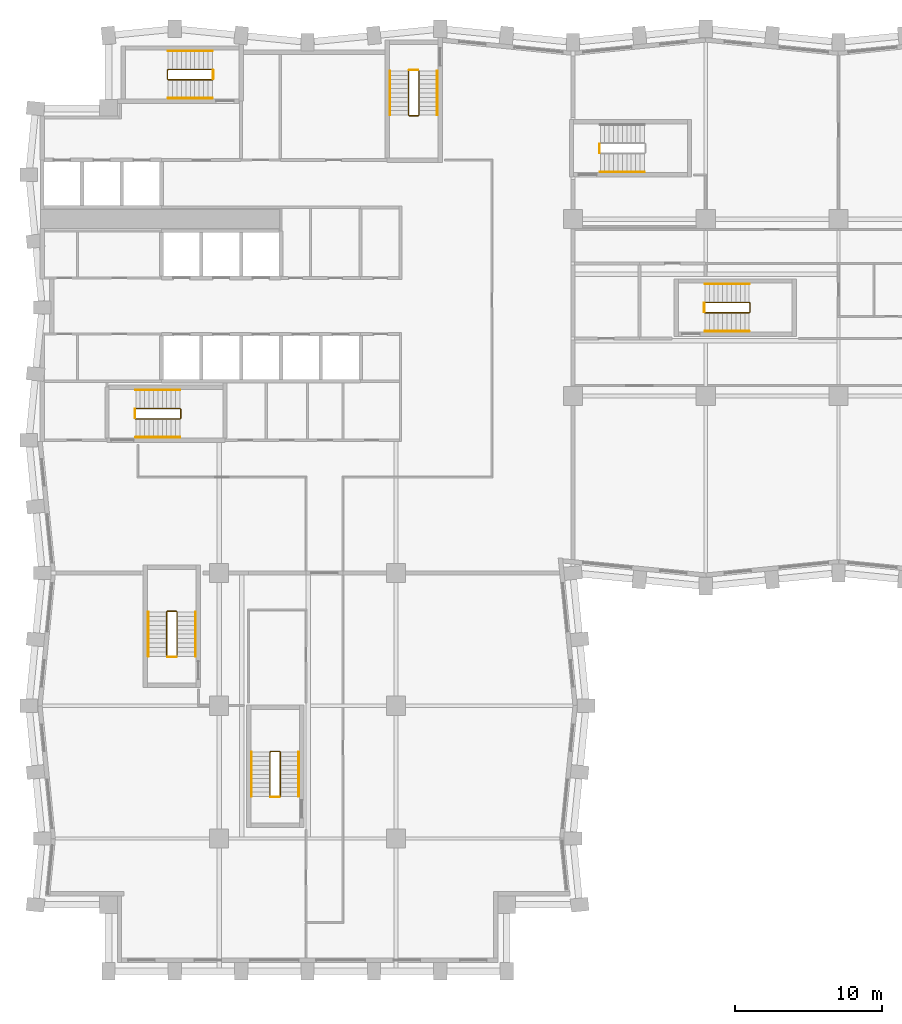
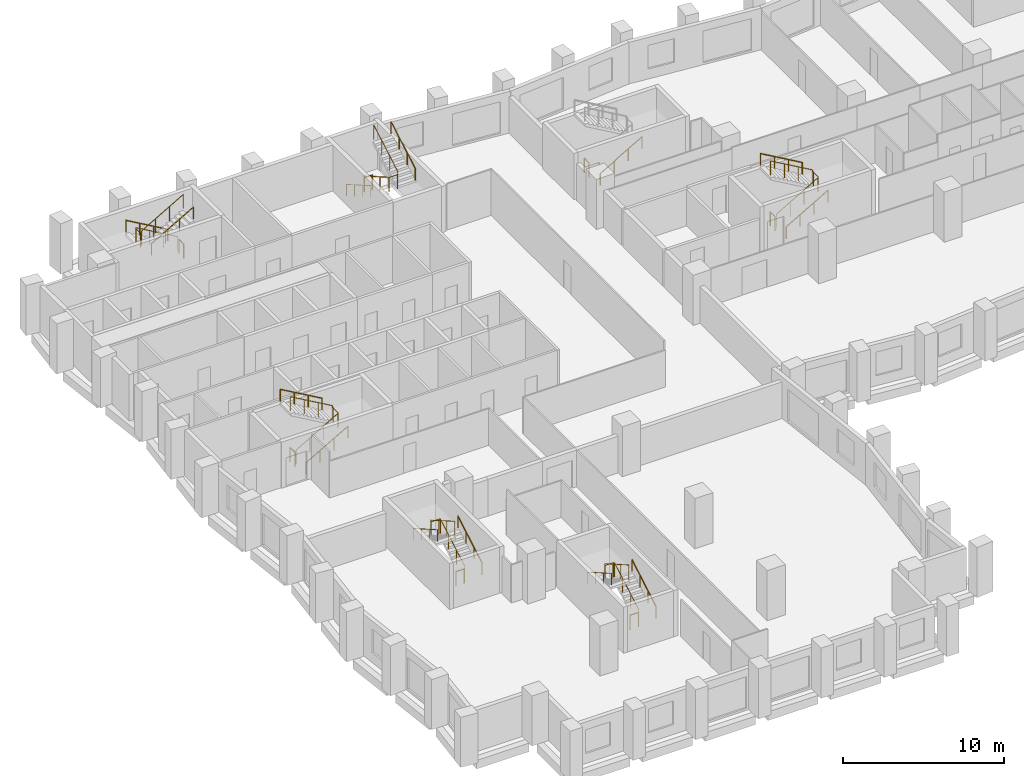
# One storey, part 10 of 11: 26 railings.
"""IFC4 building model written with IfcOpenShell, lengths in metres."""

from ifc_helpers import new_model, si_unit, direction, frame, origin, origin_2d, place, context, subcontext, project, spatial, circle, extrude, material, type_object, element, save


model = new_model("IFC4")

# Units and contexts
model_context = context("Model", 3, precision=1e-05, world=origin(), true_north=direction((0.0, 1.0)))
body_context = subcontext(model_context, "Body", "Model", "MODEL_VIEW")
ifc_project = project(units=[si_unit("LENGTHUNIT", "METRE"), si_unit("AREAUNIT", "SQUARE_METRE"), si_unit("VOLUMEUNIT", "CUBIC_METRE"), si_unit("PLANEANGLEUNIT", "RADIAN"), si_unit("MASSUNIT", "GRAM", prefix="KILO")], contexts=[model_context])

# Site, building, storey
site_placement = place(None, origin())
site = spatial("IfcSite", under=ifc_project, at=site_placement, CompositionType="ELEMENT")
building_placement = place(site_placement, origin())
building = spatial("IfcBuilding", under=site, at=building_placement, Name="Brondeck Convention Tower", CompositionType="ELEMENT")
storey_placement = place(building_placement, frame((0.0, 0.0, 115.10009765625)))
storey = spatial("IfcBuildingStorey", under=building, at=storey_placement, Name="L27", CompositionType="ELEMENT", Elevation=115.10009765625)

# Railings
ifc_material = material(Name="Steel S355", Category="steel")
railing_type_1 = type_object("IfcRailingType", Name="Stair guard 1100", PredefinedType="GUARDRAIL", material=ifc_material)
railing_1_placement = place(storey_placement, frame((6.35009765625, 37.449951171875, 0.172607421875)))
element("IfcRailing", 1, at=railing_1_placement, inside=storey, type_object=railing_type_1, Name="L27 ST-1 stair guard 1", PredefinedType="GUARDRAIL", context=body_context, shape_type="SweptSolid", body=[
    extrude(circle(Radius=0.02392578125, at=origin_2d()), frame((0.0, 0.0, 1.076171875), z_axis=(0.866619684472, 0.0, 0.498969260062), x_axis=(0.0, 1.0, 0.0)), (0.0, 0.0, 1.0), 3.461669921875),
    extrude(circle(Radius=0.02392578125, at=origin_2d()), frame((3.0, 0.0, 2.80322265625), z_axis=(0.705375805398, 0.708833529934, 0.0), x_axis=(-0.708833529934, 0.705375805398, 0.0)), (0.0, 0.0, 1.0), 0.070556640625),
    extrude(circle(Radius=0.02392578125, at=origin_2d()), frame((3.0498046875, 0.050048828125, 2.80322265625), z_axis=(0.0, 1.0, 0.0), x_axis=(-1.0, 0.0, 0.0)), (0.0, 0.0, 1.0), 0.60009765625),
    extrude(circle(Radius=0.02392578125, at=origin_2d()), frame((3.0498046875, 0.650146484375, 2.80322265625), z_axis=(-0.26715648603, 0.26715648603, 0.925880566782), x_axis=(-0.707106781187, -0.707106781187, 0.0)), (0.0, 0.0, 1.0), 0.1865234375),
    extrude(circle(Radius=0.02392578125, at=origin_2d()), frame((3.0, 0.699951171875, 2.97607421875), z_axis=(-0.866619684472, 0.0, 0.498969260062), x_axis=(0.0, -1.0, 0.0)), (0.0, 0.0, 1.0), 3.461669921875),
    extrude(circle(Radius=0.02099609375, at=origin_2d()), origin(), (0.0, 0.0, 1.0), 1.052001953125),
    extrude(circle(Radius=0.02099609375, at=origin_2d()), frame((1.0, 0.0, 0.57568359375)), (0.0, 0.0, 1.0), 1.052001953125),
    extrude(circle(Radius=0.02099609375, at=origin_2d()), frame((2.0, 0.0, 1.151611328125)), (0.0, 0.0, 1.0), 1.052001953125),
    extrude(circle(Radius=0.02099609375, at=origin_2d()), frame((3.0, 0.0, 1.727294921875)), (0.0, 0.0, 1.0), 1.052001953125),
    extrude(circle(Radius=0.02099609375, at=origin_2d()), frame((3.0498046875, 0.050048828125, 1.727294921875)), (0.0, 0.0, 1.0), 1.052001953125),
    extrude(circle(Radius=0.02099609375, at=origin_2d()), frame((3.0498046875, 0.650146484375, 1.727294921875)), (0.0, 0.0, 1.0), 1.052001953125),
    extrude(circle(Radius=0.02099609375, at=origin_2d()), frame((3.0, 0.699951171875, 1.89990234375)), (0.0, 0.0, 1.0), 1.052001953125),
    extrude(circle(Radius=0.02099609375, at=origin_2d()), frame((2.0, 0.699951171875, 2.4755859375)), (0.0, 0.0, 1.0), 1.052001953125),
    extrude(circle(Radius=0.02099609375, at=origin_2d()), frame((1.0, 0.699951171875, 3.051513671875)), (0.0, 0.0, 1.0), 1.052001953125),
    extrude(circle(Radius=0.02099609375, at=origin_2d()), frame((0.0, 0.699951171875, 3.627197265625)), (0.0, 0.0, 1.0), 1.052001953125),
])
railing_2_placement = place(storey_placement, frame((6.300048828125, 37.5, 0.0)))
element("IfcRailing", 2, at=railing_2_placement, inside=storey, type_object=railing_type_1, Name="L27 ST-1 stair guard 2", PredefinedType="GUARDRAIL", context=body_context, shape_type="SweptSolid", body=[
    extrude(circle(Radius=0.02392578125, at=origin_2d()), frame((0.0, 0.0, 1.076171875), z_axis=(0.0, 1.0, 0.0), x_axis=(-1.0, 0.0, 0.0)), (0.0, 0.0, 1.0), 0.60009765625),
    extrude(circle(Radius=0.02099609375, at=origin_2d()), origin(), (0.0, 0.0, 1.0), 1.052001953125),
    extrude(circle(Radius=0.02099609375, at=origin_2d()), frame((0.0, 0.60009765625, 0.0)), (0.0, 0.0, 1.0), 1.052001953125),
])
railing_3_placement = place(storey_placement, frame((24.85009765625, 61.050048828125, 0.172607421875)))
element("IfcRailing", 3, at=railing_3_placement, inside=storey, type_object=railing_type_1, Name="L27 ST-2 stair guard 1", PredefinedType="GUARDRAIL", context=body_context, shape_type="SweptSolid", body=[
    extrude(circle(Radius=0.02392578125, at=origin_2d()), frame((0.0, 0.0, 1.076171875), z_axis=(0.0, -0.866619684472, 0.498969260062), x_axis=(1.0, 0.0, 0.0)), (0.0, 0.0, 1.0), 3.461669921875),
    extrude(circle(Radius=0.02392578125, at=origin_2d()), frame((0.0, -3.0, 2.80322265625), z_axis=(0.705375805398, -0.708833529934, 0.0), x_axis=(0.708833529934, 0.705375805398, 0.0)), (0.0, 0.0, 1.0), 0.070556640625),
    extrude(circle(Radius=0.02392578125, at=origin_2d()), frame((0.0498046875, -3.050048828125, 2.80322265625), z_axis=(1.0, 0.0, 0.0), x_axis=(0.0, 1.0, 0.0)), (0.0, 0.0, 1.0), 0.60009765625),
    extrude(circle(Radius=0.02392578125, at=origin_2d()), frame((0.64990234375, -3.050048828125, 2.80322265625), z_axis=(0.268277960024, 0.268277960024, 0.925231793839), x_axis=(-0.707106781187, 0.707106781187, 0.0)), (0.0, 0.0, 1.0), 0.1865234375),
    extrude(circle(Radius=0.02392578125, at=origin_2d()), frame((0.699951171875, -3.0, 2.97607421875), z_axis=(0.0, 0.866619684472, 0.498969260062), x_axis=(-1.0, 0.0, 0.0)), (0.0, 0.0, 1.0), 3.461669921875),
    extrude(circle(Radius=0.02099609375, at=origin_2d()), origin(), (0.0, 0.0, 1.0), 1.052001953125),
    extrude(circle(Radius=0.02099609375, at=origin_2d()), frame((0.0, -1.0, 0.57568359375)), (0.0, 0.0, 1.0), 1.052001953125),
    extrude(circle(Radius=0.02099609375, at=origin_2d()), frame((0.0, -2.0, 1.151611328125)), (0.0, 0.0, 1.0), 1.052001953125),
    extrude(circle(Radius=0.02099609375, at=origin_2d()), frame((0.0, -3.0, 1.727294921875)), (0.0, 0.0, 1.0), 1.052001953125),
    extrude(circle(Radius=0.02099609375, at=origin_2d()), frame((0.0498046875, -3.050048828125, 1.727294921875)), (0.0, 0.0, 1.0), 1.052001953125),
    extrude(circle(Radius=0.02099609375, at=origin_2d()), frame((0.64990234375, -3.050048828125, 1.727294921875)), (0.0, 0.0, 1.0), 1.052001953125),
    extrude(circle(Radius=0.02099609375, at=origin_2d()), frame((0.699951171875, -3.0, 1.89990234375)), (0.0, 0.0, 1.0), 1.052001953125),
    extrude(circle(Radius=0.02099609375, at=origin_2d()), frame((0.699951171875, -2.0, 2.4755859375)), (0.0, 0.0, 1.0), 1.052001953125),
    extrude(circle(Radius=0.02099609375, at=origin_2d()), frame((0.699951171875, -1.0, 3.051513671875)), (0.0, 0.0, 1.0), 1.052001953125),
    extrude(circle(Radius=0.02099609375, at=origin_2d()), frame((0.699951171875, 0.0, 3.627197265625)), (0.0, 0.0, 1.0), 1.052001953125),
])
railing_4_placement = place(storey_placement, frame((24.89990234375, 61.10009765625, 0.0)))
element("IfcRailing", 4, at=railing_4_placement, inside=storey, type_object=railing_type_1, Name="L27 ST-2 stair guard 2", PredefinedType="GUARDRAIL", context=body_context, shape_type="SweptSolid", body=[
    extrude(circle(Radius=0.02392578125, at=origin_2d()), frame((0.0, 0.0, 1.076171875), z_axis=(1.0, 0.0, 0.0), x_axis=(0.0, 1.0, 0.0)), (0.0, 0.0, 1.0), 0.60009765625),
    extrude(circle(Radius=0.02099609375, at=origin_2d()), origin(), (0.0, 0.0, 1.0), 1.052001953125),
    extrude(circle(Radius=0.02099609375, at=origin_2d()), frame((0.60009765625, 0.0, 0.0)), (0.0, 0.0, 1.0), 1.052001953125),
])
railing_5_placement = place(storey_placement, frame((11.550048828125, 61.14990234375, 0.172607421875)))
element("IfcRailing", 5, at=railing_5_placement, inside=storey, type_object=railing_type_1, Name="L27 ST-3 stair guard 1", PredefinedType="GUARDRAIL", context=body_context, shape_type="SweptSolid", body=[
    extrude(circle(Radius=0.02392578125, at=origin_2d()), frame((0.0, 0.0, 1.076171875), z_axis=(-0.866619684472, 0.0, 0.498969260062), x_axis=(0.0, -1.0, 0.0)), (0.0, 0.0, 1.0), 3.461669921875),
    extrude(circle(Radius=0.02392578125, at=origin_2d()), frame((-3.0, 0.0, 2.80322265625), z_axis=(-0.708833529934, -0.705375805398, 0.0), x_axis=(0.705375805398, -0.708833529934, 0.0)), (0.0, 0.0, 1.0), 0.070556640625),
    extrude(circle(Radius=0.02392578125, at=origin_2d()), frame((-3.050048828125, -0.0498046875, 2.80322265625), z_axis=(0.0, -1.0, 0.0), x_axis=(1.0, 0.0, 0.0)), (0.0, 0.0, 1.0), 0.60009765625),
    extrude(circle(Radius=0.02392578125, at=origin_2d()), frame((-3.050048828125, -0.64990234375, 2.80322265625), z_axis=(0.268277960024, -0.268277960024, 0.925231793839), x_axis=(0.707106781187, 0.707106781187, 0.0)), (0.0, 0.0, 1.0), 0.1865234375),
    extrude(circle(Radius=0.02392578125, at=origin_2d()), frame((-3.0, -0.699951171875, 2.97607421875), z_axis=(0.866619684472, 0.0, 0.498969260062), x_axis=(0.0, 1.0, 0.0)), (0.0, 0.0, 1.0), 3.461669921875),
    extrude(circle(Radius=0.02099609375, at=origin_2d()), origin(), (0.0, 0.0, 1.0), 1.052001953125),
    extrude(circle(Radius=0.02099609375, at=origin_2d()), frame((-1.0, 0.0, 0.57568359375)), (0.0, 0.0, 1.0), 1.052001953125),
    extrude(circle(Radius=0.02099609375, at=origin_2d()), frame((-2.0, 0.0, 1.151611328125)), (0.0, 0.0, 1.0), 1.052001953125),
    extrude(circle(Radius=0.02099609375, at=origin_2d()), frame((-3.0, 0.0, 1.727294921875)), (0.0, 0.0, 1.0), 1.052001953125),
    extrude(circle(Radius=0.02099609375, at=origin_2d()), frame((-3.050048828125, -0.0498046875, 1.727294921875)), (0.0, 0.0, 1.0), 1.052001953125),
    extrude(circle(Radius=0.02099609375, at=origin_2d()), frame((-3.050048828125, -0.64990234375, 1.727294921875)), (0.0, 0.0, 1.0), 1.052001953125),
    extrude(circle(Radius=0.02099609375, at=origin_2d()), frame((-3.0, -0.699951171875, 1.89990234375)), (0.0, 0.0, 1.0), 1.052001953125),
    extrude(circle(Radius=0.02099609375, at=origin_2d()), frame((-2.0, -0.699951171875, 2.4755859375)), (0.0, 0.0, 1.0), 1.052001953125),
    extrude(circle(Radius=0.02099609375, at=origin_2d()), frame((-1.0, -0.699951171875, 3.051513671875)), (0.0, 0.0, 1.0), 1.052001953125),
    extrude(circle(Radius=0.02099609375, at=origin_2d()), frame((0.0, -0.699951171875, 3.627197265625)), (0.0, 0.0, 1.0), 1.052001953125),
])
railing_6_placement = place(storey_placement, frame((11.60009765625, 61.10009765625, 0.0)))
element("IfcRailing", 6, at=railing_6_placement, inside=storey, type_object=railing_type_1, Name="L27 ST-3 stair guard 2", PredefinedType="GUARDRAIL", context=body_context, shape_type="SweptSolid", body=[
    extrude(circle(Radius=0.02392578125, at=origin_2d()), frame((0.0, 0.0, 1.076171875), z_axis=(0.0, -1.0, 0.0), x_axis=(1.0, 0.0, 0.0)), (0.0, 0.0, 1.0), 0.60009765625),
    extrude(circle(Radius=0.02099609375, at=origin_2d()), origin(), (0.0, 0.0, 1.0), 1.052001953125),
    extrude(circle(Radius=0.02099609375, at=origin_2d()), frame((0.0, -0.60009765625, 0.0)), (0.0, 0.0, 1.0), 1.052001953125),
])
railing_7_placement = place(storey_placement, frame((37.800048828125, 55.5, 0.0)))
element("IfcRailing", 7, at=railing_7_placement, inside=storey, type_object=railing_type_1, Name="L27 ST-AE stair guard 2", PredefinedType="GUARDRAIL", context=body_context, shape_type="SweptSolid", body=[
    extrude(circle(Radius=0.02392578125, at=origin_2d()), frame((0.0, 0.0, 1.076171875), z_axis=(0.0, 1.0, 0.0), x_axis=(-1.0, 0.0, 0.0)), (0.0, 0.0, 1.0), 0.60009765625),
    extrude(circle(Radius=0.02099609375, at=origin_2d()), origin(), (0.0, 0.0, 1.0), 1.052001953125),
    extrude(circle(Radius=0.02099609375, at=origin_2d()), frame((0.0, 0.60009765625, 0.0)), (0.0, 0.0, 1.0), 1.052001953125),
])
railing_8_placement = place(storey_placement, frame((9.14990234375, 21.35009765625, 0.172607421875)))
element("IfcRailing", 8, at=railing_8_placement, inside=storey, type_object=railing_type_1, Name="L27 ST-BE stair guard 1", PredefinedType="GUARDRAIL", context=body_context, shape_type="SweptSolid", body=[
    extrude(circle(Radius=0.02392578125, at=origin_2d()), frame((0.0, 0.0, 1.076171875), z_axis=(0.0, 0.866619684472, 0.498969260062), x_axis=(-1.0, 0.0, 0.0)), (0.0, 0.0, 1.0), 3.461669921875),
    extrude(circle(Radius=0.02392578125, at=origin_2d()), frame((0.0, 3.0, 2.80322265625), z_axis=(-0.707106781187, 0.707106781187, 0.0), x_axis=(-0.707106781187, -0.707106781187, 0.0)), (0.0, 0.0, 1.0), 0.0703125),
    extrude(circle(Radius=0.02392578125, at=origin_2d()), frame((-0.0498046875, 3.0498046875, 2.80322265625), z_axis=(-1.0, 0.0, 0.0), x_axis=(0.0, -1.0, 0.0)), (0.0, 0.0, 1.0), 0.60009765625),
    extrude(circle(Radius=0.02392578125, at=origin_2d()), frame((-0.64990234375, 3.0498046875, 2.80322265625), z_axis=(-0.268371968888, -0.267062837333, 0.925556009775), x_axis=(0.705375805398, -0.708833529934, 0.0)), (0.0, 0.0, 1.0), 0.1865234375),
    extrude(circle(Radius=0.02392578125, at=origin_2d()), frame((-0.699951171875, 3.0, 2.97607421875), z_axis=(0.0, -0.866619684472, 0.498969260062), x_axis=(1.0, 0.0, 0.0)), (0.0, 0.0, 1.0), 3.461669921875),
    extrude(circle(Radius=0.02099609375, at=origin_2d()), origin(), (0.0, 0.0, 1.0), 1.052001953125),
    extrude(circle(Radius=0.02099609375, at=origin_2d()), frame((0.0, 1.0, 0.57568359375)), (0.0, 0.0, 1.0), 1.052001953125),
    extrude(circle(Radius=0.02099609375, at=origin_2d()), frame((0.0, 2.0, 1.151611328125)), (0.0, 0.0, 1.0), 1.052001953125),
    extrude(circle(Radius=0.02099609375, at=origin_2d()), frame((0.0, 3.0, 1.727294921875)), (0.0, 0.0, 1.0), 1.052001953125),
    extrude(circle(Radius=0.02099609375, at=origin_2d()), frame((-0.0498046875, 3.0498046875, 1.727294921875)), (0.0, 0.0, 1.0), 1.052001953125),
    extrude(circle(Radius=0.02099609375, at=origin_2d()), frame((-0.64990234375, 3.0498046875, 1.727294921875)), (0.0, 0.0, 1.0), 1.052001953125),
    extrude(circle(Radius=0.02099609375, at=origin_2d()), frame((-0.699951171875, 3.0, 1.89990234375)), (0.0, 0.0, 1.0), 1.052001953125),
    extrude(circle(Radius=0.02099609375, at=origin_2d()), frame((-0.699951171875, 2.0, 2.4755859375)), (0.0, 0.0, 1.0), 1.052001953125),
    extrude(circle(Radius=0.02099609375, at=origin_2d()), frame((-0.699951171875, 1.0, 3.051513671875)), (0.0, 0.0, 1.0), 1.052001953125),
    extrude(circle(Radius=0.02099609375, at=origin_2d()), frame((-0.699951171875, 0.0, 3.627197265625)), (0.0, 0.0, 1.0), 1.052001953125),
])
railing_9_placement = place(storey_placement, frame((9.10009765625, 21.300048828125, 0.0)))
element("IfcRailing", 9, at=railing_9_placement, inside=storey, type_object=railing_type_1, Name="L27 ST-BE stair guard 2", PredefinedType="GUARDRAIL", context=body_context, shape_type="SweptSolid", body=[
    extrude(circle(Radius=0.02392578125, at=origin_2d()), frame((0.0, 0.0, 1.076171875), z_axis=(-1.0, 0.0, 0.0), x_axis=(0.0, -1.0, 0.0)), (0.0, 0.0, 1.0), 0.60009765625),
    extrude(circle(Radius=0.02099609375, at=origin_2d()), origin(), (0.0, 0.0, 1.0), 1.052001953125),
    extrude(circle(Radius=0.02099609375, at=origin_2d()), frame((-0.60009765625, 0.0, 0.0)), (0.0, 0.0, 1.0), 1.052001953125),
])
railing_10_placement = place(storey_placement, frame((44.949951171875, 44.64990234375, 0.172607421875)))
element("IfcRailing", 10, at=railing_10_placement, inside=storey, type_object=railing_type_1, Name="L27 ST-AF stair guard 1", PredefinedType="GUARDRAIL", context=body_context, shape_type="SweptSolid", body=[
    extrude(circle(Radius=0.02392578125, at=origin_2d()), frame((0.0, 0.0, 1.076171875), z_axis=(0.866619684472, 0.0, 0.498969260062), x_axis=(0.0, 1.0, 0.0)), (0.0, 0.0, 1.0), 3.461669921875),
    extrude(circle(Radius=0.02392578125, at=origin_2d()), frame((3.0, 0.0, 2.80322265625), z_axis=(0.707106781187, 0.707106781187, 0.0), x_axis=(-0.707106781187, 0.707106781187, 0.0)), (0.0, 0.0, 1.0), 0.07080078125),
    extrude(circle(Radius=0.02392578125, at=origin_2d()), frame((3.050048828125, 0.050048828125, 2.80322265625), z_axis=(0.0, 1.0, 0.0), x_axis=(-1.0, 0.0, 0.0)), (0.0, 0.0, 1.0), 0.60009765625),
    extrude(circle(Radius=0.02392578125, at=origin_2d()), frame((3.050048828125, 0.650146484375, 2.80322265625), z_axis=(-0.268277960024, 0.268277960024, 0.925231793839), x_axis=(-0.707106781187, -0.707106781187, 0.0)), (0.0, 0.0, 1.0), 0.1865234375),
    extrude(circle(Radius=0.02392578125, at=origin_2d()), frame((3.0, 0.7001953125, 2.97607421875), z_axis=(-0.866619684472, 0.0, 0.498969260062), x_axis=(0.0, -1.0, 0.0)), (0.0, 0.0, 1.0), 3.461669921875),
    extrude(circle(Radius=0.02099609375, at=origin_2d()), origin(), (0.0, 0.0, 1.0), 1.052001953125),
    extrude(circle(Radius=0.02099609375, at=origin_2d()), frame((1.0, 0.0, 0.57568359375)), (0.0, 0.0, 1.0), 1.052001953125),
    extrude(circle(Radius=0.02099609375, at=origin_2d()), frame((2.0, 0.0, 1.151611328125)), (0.0, 0.0, 1.0), 1.052001953125),
    extrude(circle(Radius=0.02099609375, at=origin_2d()), frame((3.0, 0.0, 1.727294921875)), (0.0, 0.0, 1.0), 1.052001953125),
    extrude(circle(Radius=0.02099609375, at=origin_2d()), frame((3.050048828125, 0.050048828125, 1.727294921875)), (0.0, 0.0, 1.0), 1.052001953125),
    extrude(circle(Radius=0.02099609375, at=origin_2d()), frame((3.050048828125, 0.650146484375, 1.727294921875)), (0.0, 0.0, 1.0), 1.052001953125),
    extrude(circle(Radius=0.02099609375, at=origin_2d()), frame((3.0, 0.7001953125, 1.89990234375)), (0.0, 0.0, 1.0), 1.052001953125),
    extrude(circle(Radius=0.02099609375, at=origin_2d()), frame((2.0, 0.7001953125, 2.4755859375)), (0.0, 0.0, 1.0), 1.052001953125),
    extrude(circle(Radius=0.02099609375, at=origin_2d()), frame((1.0, 0.7001953125, 3.051513671875)), (0.0, 0.0, 1.0), 1.052001953125),
    extrude(circle(Radius=0.02099609375, at=origin_2d()), frame((0.0, 0.7001953125, 3.627197265625)), (0.0, 0.0, 1.0), 1.052001953125),
])
railing_11_placement = place(storey_placement, frame((44.89990234375, 44.699951171875, 0.0)))
element("IfcRailing", 11, at=railing_11_placement, inside=storey, type_object=railing_type_1, Name="L27 ST-AF stair guard 2", PredefinedType="GUARDRAIL", context=body_context, shape_type="SweptSolid", body=[
    extrude(circle(Radius=0.02392578125, at=origin_2d()), frame((0.0, 0.0, 1.076171875), z_axis=(0.0, 1.0, 0.0), x_axis=(-1.0, 0.0, 0.0)), (0.0, 0.0, 1.0), 0.60009765625),
    extrude(circle(Radius=0.02099609375, at=origin_2d()), origin(), (0.0, 0.0, 1.0), 1.052001953125),
    extrude(circle(Radius=0.02099609375, at=origin_2d()), frame((0.0, 0.60009765625, 0.0)), (0.0, 0.0, 1.0), 1.052001953125),
])
railing_12_placement = place(storey_placement, frame((16.14990234375, 11.85009765625, 0.172607421875)))
element("IfcRailing", 12, at=railing_12_placement, inside=storey, type_object=railing_type_1, Name="L27 ST-BF stair guard 1", PredefinedType="GUARDRAIL", context=body_context, shape_type="SweptSolid", body=[
    extrude(circle(Radius=0.02392578125, at=origin_2d()), frame((0.0, 0.0, 1.076171875), z_axis=(0.0, 0.866619684472, 0.498969260062), x_axis=(-1.0, 0.0, 0.0)), (0.0, 0.0, 1.0), 3.461669921875),
    extrude(circle(Radius=0.02392578125, at=origin_2d()), frame((0.0, 3.0, 2.80322265625), z_axis=(-0.707106781187, 0.707106781187, 0.0), x_axis=(-0.707106781187, -0.707106781187, 0.0)), (0.0, 0.0, 1.0), 0.0703125),
    extrude(circle(Radius=0.02392578125, at=origin_2d()), frame((-0.0498046875, 3.0498046875, 2.80322265625), z_axis=(-1.0, 0.0, 0.0), x_axis=(0.0, -1.0, 0.0)), (0.0, 0.0, 1.0), 0.60009765625),
    extrude(circle(Radius=0.02392578125, at=origin_2d()), frame((-0.64990234375, 3.0498046875, 2.80322265625), z_axis=(-0.268371968888, -0.267062837333, 0.925556009775), x_axis=(0.705375805398, -0.708833529934, 0.0)), (0.0, 0.0, 1.0), 0.1865234375),
    extrude(circle(Radius=0.02392578125, at=origin_2d()), frame((-0.699951171875, 3.0, 2.97607421875), z_axis=(0.0, -0.866619684472, 0.498969260062), x_axis=(1.0, 0.0, 0.0)), (0.0, 0.0, 1.0), 3.461669921875),
    extrude(circle(Radius=0.02099609375, at=origin_2d()), origin(), (0.0, 0.0, 1.0), 1.052001953125),
    extrude(circle(Radius=0.02099609375, at=origin_2d()), frame((0.0, 1.0, 0.57568359375)), (0.0, 0.0, 1.0), 1.052001953125),
    extrude(circle(Radius=0.02099609375, at=origin_2d()), frame((0.0, 2.0, 1.151611328125)), (0.0, 0.0, 1.0), 1.052001953125),
    extrude(circle(Radius=0.02099609375, at=origin_2d()), frame((0.0, 3.0, 1.727294921875)), (0.0, 0.0, 1.0), 1.052001953125),
    extrude(circle(Radius=0.02099609375, at=origin_2d()), frame((-0.0498046875, 3.0498046875, 1.727294921875)), (0.0, 0.0, 1.0), 1.052001953125),
    extrude(circle(Radius=0.02099609375, at=origin_2d()), frame((-0.64990234375, 3.0498046875, 1.727294921875)), (0.0, 0.0, 1.0), 1.052001953125),
    extrude(circle(Radius=0.02099609375, at=origin_2d()), frame((-0.699951171875, 3.0, 1.89990234375)), (0.0, 0.0, 1.0), 1.052001953125),
    extrude(circle(Radius=0.02099609375, at=origin_2d()), frame((-0.699951171875, 2.0, 2.4755859375)), (0.0, 0.0, 1.0), 1.052001953125),
    extrude(circle(Radius=0.02099609375, at=origin_2d()), frame((-0.699951171875, 1.0, 3.051513671875)), (0.0, 0.0, 1.0), 1.052001953125),
    extrude(circle(Radius=0.02099609375, at=origin_2d()), frame((-0.699951171875, 0.0, 3.627197265625)), (0.0, 0.0, 1.0), 1.052001953125),
])
railing_13_placement = place(storey_placement, frame((16.10009765625, 11.800048828125, 0.0)))
element("IfcRailing", 13, at=railing_13_placement, inside=storey, type_object=railing_type_1, Name="L27 ST-BF stair guard 2", PredefinedType="GUARDRAIL", context=body_context, shape_type="SweptSolid", body=[
    extrude(circle(Radius=0.02392578125, at=origin_2d()), frame((0.0, 0.0, 1.076171875), z_axis=(-1.0, 0.0, 0.0), x_axis=(0.0, -1.0, 0.0)), (0.0, 0.0, 1.0), 0.60009765625),
    extrude(circle(Radius=0.02099609375, at=origin_2d()), origin(), (0.0, 0.0, 1.0), 1.052001953125),
    extrude(circle(Radius=0.02099609375, at=origin_2d()), frame((-0.60009765625, 0.0, 0.0)), (0.0, 0.0, 1.0), 1.052001953125),
])
railing_type_2 = type_object("IfcRailingType", Name="Stair handrail", PredefinedType="HANDRAIL", material=ifc_material)
railing_14_placement = place(storey_placement, frame((6.35009765625, 36.199951171875, 0.172607421875)))
element("IfcRailing", 14, at=railing_14_placement, inside=storey, type_object=railing_type_2, Name="L27 ST-1 stair handrail 1", PredefinedType="HANDRAIL", context=body_context, shape_type="SweptSolid", body=[
    extrude(circle(Radius=0.02392578125, at=origin_2d()), frame((0.0, 0.0, 0.8759765625), z_axis=(0.866619684472, 0.0, 0.498969260062), x_axis=(0.0, 1.0, 0.0)), (0.0, 0.0, 1.0), 3.461669921875),
    extrude(circle(Radius=0.02099609375, at=origin_2d()), origin(), (0.0, 0.0, 1.0), 0.851806640625),
    extrude(circle(Radius=0.02099609375, at=origin_2d()), frame((1.0, 0.0, 0.57568359375)), (0.0, 0.0, 1.0), 0.851806640625),
    extrude(circle(Radius=0.02099609375, at=origin_2d()), frame((2.0, 0.0, 1.151611328125)), (0.0, 0.0, 1.0), 0.851806640625),
    extrude(circle(Radius=0.02099609375, at=origin_2d()), frame((3.0, 0.0, 1.727294921875)), (0.0, 0.0, 1.0), 0.851806640625),
])
railing_15_placement = place(storey_placement, frame((9.35009765625, 39.39990234375, 2.072509765625)))
element("IfcRailing", 15, at=railing_15_placement, inside=storey, type_object=railing_type_2, Name="L27 ST-1 stair handrail 2", PredefinedType="HANDRAIL", context=body_context, shape_type="SweptSolid", body=[
    extrude(circle(Radius=0.02392578125, at=origin_2d()), frame((0.0, 0.0, 0.8759765625), z_axis=(-0.866619684472, 0.0, 0.498969260062), x_axis=(0.0, -1.0, 0.0)), (0.0, 0.0, 1.0), 3.461669921875),
    extrude(circle(Radius=0.02099609375, at=origin_2d()), origin(), (0.0, 0.0, 1.0), 0.851806640625),
    extrude(circle(Radius=0.02099609375, at=origin_2d()), frame((-1.0, 0.0, 0.57568359375)), (0.0, 0.0, 1.0), 0.851806640625),
    extrude(circle(Radius=0.02099609375, at=origin_2d()), frame((-2.0, 0.0, 1.151611328125)), (0.0, 0.0, 1.0), 0.851806640625),
    extrude(circle(Radius=0.02099609375, at=origin_2d()), frame((-3.0, 0.0, 1.727294921875)), (0.0, 0.0, 1.0), 0.851806640625),
])
railing_16_placement = place(storey_placement, frame((23.60009765625, 61.050048828125, 0.172607421875)))
element("IfcRailing", 16, at=railing_16_placement, inside=storey, type_object=railing_type_2, Name="L27 ST-2 stair handrail 1", PredefinedType="HANDRAIL", context=body_context, shape_type="SweptSolid", body=[
    extrude(circle(Radius=0.02392578125, at=origin_2d()), frame((0.0, 0.0, 0.8759765625), z_axis=(0.0, -0.866619684472, 0.498969260062), x_axis=(1.0, 0.0, 0.0)), (0.0, 0.0, 1.0), 3.461669921875),
    extrude(circle(Radius=0.02099609375, at=origin_2d()), origin(), (0.0, 0.0, 1.0), 0.851806640625),
    extrude(circle(Radius=0.02099609375, at=origin_2d()), frame((0.0, -1.0, 0.57568359375)), (0.0, 0.0, 1.0), 0.851806640625),
    extrude(circle(Radius=0.02099609375, at=origin_2d()), frame((0.0, -2.0, 1.151611328125)), (0.0, 0.0, 1.0), 0.851806640625),
    extrude(circle(Radius=0.02099609375, at=origin_2d()), frame((0.0, -3.0, 1.727294921875)), (0.0, 0.0, 1.0), 0.851806640625),
])
railing_17_placement = place(storey_placement, frame((26.800048828125, 58.050048828125, 2.072509765625)))
element("IfcRailing", 17, at=railing_17_placement, inside=storey, type_object=railing_type_2, Name="L27 ST-2 stair handrail 2", PredefinedType="HANDRAIL", context=body_context, shape_type="SweptSolid", body=[
    extrude(circle(Radius=0.02392578125, at=origin_2d()), frame((0.0, 0.0, 0.8759765625), z_axis=(0.0, 0.866619684472, 0.498969260062), x_axis=(-1.0, 0.0, 0.0)), (0.0, 0.0, 1.0), 3.461669921875),
    extrude(circle(Radius=0.02099609375, at=origin_2d()), origin(), (0.0, 0.0, 1.0), 0.851806640625),
    extrude(circle(Radius=0.02099609375, at=origin_2d()), frame((0.0, 1.0, 0.57568359375)), (0.0, 0.0, 1.0), 0.851806640625),
    extrude(circle(Radius=0.02099609375, at=origin_2d()), frame((0.0, 2.0, 1.151611328125)), (0.0, 0.0, 1.0), 0.851806640625),
    extrude(circle(Radius=0.02099609375, at=origin_2d()), frame((0.0, 3.0, 1.727294921875)), (0.0, 0.0, 1.0), 0.851806640625),
])
railing_18_placement = place(storey_placement, frame((11.550048828125, 62.39990234375, 0.172607421875)))
element("IfcRailing", 18, at=railing_18_placement, inside=storey, type_object=railing_type_2, Name="L27 ST-3 stair handrail 1", PredefinedType="HANDRAIL", context=body_context, shape_type="SweptSolid", body=[
    extrude(circle(Radius=0.02392578125, at=origin_2d()), frame((0.0, 0.0, 0.8759765625), z_axis=(-0.866619684472, 0.0, 0.498969260062), x_axis=(0.0, -1.0, 0.0)), (0.0, 0.0, 1.0), 3.461669921875),
    extrude(circle(Radius=0.02099609375, at=origin_2d()), origin(), (0.0, 0.0, 1.0), 0.851806640625),
    extrude(circle(Radius=0.02099609375, at=origin_2d()), frame((-1.0, 0.0, 0.57568359375)), (0.0, 0.0, 1.0), 0.851806640625),
    extrude(circle(Radius=0.02099609375, at=origin_2d()), frame((-2.0, 0.0, 1.151611328125)), (0.0, 0.0, 1.0), 0.851806640625),
    extrude(circle(Radius=0.02099609375, at=origin_2d()), frame((-3.0, 0.0, 1.727294921875)), (0.0, 0.0, 1.0), 0.851806640625),
])
for number, where, name in (
    (19, (8.550048828125, 59.199951171875, 2.072509765625), "L27 ST-3 stair handrail 2"),
    (20, (37.85009765625, 54.199951171875, 0.172607421875), "L27 ST-AE stair handrail 1"),
):
    element("IfcRailing", number, at=place(storey_placement, frame(where)), inside=storey, type_object=railing_type_2, Name=name, PredefinedType="HANDRAIL", context=body_context, shape_type="SweptSolid", body=[
        extrude(circle(Radius=0.02392578125, at=origin_2d()), frame((0.0, 0.0, 0.8759765625), z_axis=(0.866619684472, 0.0, 0.498969260062), x_axis=(0.0, 1.0, 0.0)), (0.0, 0.0, 1.0), 3.461669921875),
        extrude(circle(Radius=0.02099609375, at=origin_2d()), origin(), (0.0, 0.0, 1.0), 0.851806640625),
        extrude(circle(Radius=0.02099609375, at=origin_2d()), frame((1.0, 0.0, 0.57568359375)), (0.0, 0.0, 1.0), 0.851806640625),
        extrude(circle(Radius=0.02099609375, at=origin_2d()), frame((2.0, 0.0, 1.151611328125)), (0.0, 0.0, 1.0), 0.851806640625),
        extrude(circle(Radius=0.02099609375, at=origin_2d()), frame((3.0, 0.0, 1.727294921875)), (0.0, 0.0, 1.0), 0.851806640625),
    ])
railing_19_placement = place(storey_placement, frame((10.39990234375, 21.35009765625, 0.172607421875)))
element("IfcRailing", 21, at=railing_19_placement, inside=storey, type_object=railing_type_2, Name="L27 ST-BE stair handrail 1", PredefinedType="HANDRAIL", context=body_context, shape_type="SweptSolid", body=[
    extrude(circle(Radius=0.02392578125, at=origin_2d()), frame((0.0, 0.0, 0.8759765625), z_axis=(0.0, 0.866619684472, 0.498969260062), x_axis=(-1.0, 0.0, 0.0)), (0.0, 0.0, 1.0), 3.461669921875),
    extrude(circle(Radius=0.02099609375, at=origin_2d()), origin(), (0.0, 0.0, 1.0), 0.851806640625),
    extrude(circle(Radius=0.02099609375, at=origin_2d()), frame((0.0, 1.0, 0.57568359375)), (0.0, 0.0, 1.0), 0.851806640625),
    extrude(circle(Radius=0.02099609375, at=origin_2d()), frame((0.0, 2.0, 1.151611328125)), (0.0, 0.0, 1.0), 0.851806640625),
    extrude(circle(Radius=0.02099609375, at=origin_2d()), frame((0.0, 3.0, 1.727294921875)), (0.0, 0.0, 1.0), 0.851806640625),
])
railing_20_placement = place(storey_placement, frame((7.199951171875, 24.35009765625, 2.072509765625)))
element("IfcRailing", 22, at=railing_20_placement, inside=storey, type_object=railing_type_2, Name="L27 ST-BE stair handrail 2", PredefinedType="HANDRAIL", context=body_context, shape_type="SweptSolid", body=[
    extrude(circle(Radius=0.02392578125, at=origin_2d()), frame((0.0, 0.0, 0.8759765625), z_axis=(0.0, -0.866619684472, 0.498969260062), x_axis=(1.0, 0.0, 0.0)), (0.0, 0.0, 1.0), 3.461669921875),
    extrude(circle(Radius=0.02099609375, at=origin_2d()), origin(), (0.0, 0.0, 1.0), 0.851806640625),
    extrude(circle(Radius=0.02099609375, at=origin_2d()), frame((0.0, -1.0, 0.57568359375)), (0.0, 0.0, 1.0), 0.851806640625),
    extrude(circle(Radius=0.02099609375, at=origin_2d()), frame((0.0, -2.0, 1.151611328125)), (0.0, 0.0, 1.0), 0.851806640625),
    extrude(circle(Radius=0.02099609375, at=origin_2d()), frame((0.0, -3.0, 1.727294921875)), (0.0, 0.0, 1.0), 0.851806640625),
])
railing_21_placement = place(storey_placement, frame((44.949951171875, 43.39990234375, 0.172607421875)))
element("IfcRailing", 23, at=railing_21_placement, inside=storey, type_object=railing_type_2, Name="L27 ST-AF stair handrail 1", PredefinedType="HANDRAIL", context=body_context, shape_type="SweptSolid", body=[
    extrude(circle(Radius=0.02392578125, at=origin_2d()), frame((0.0, 0.0, 0.8759765625), z_axis=(0.866619684472, 0.0, 0.498969260062), x_axis=(0.0, 1.0, 0.0)), (0.0, 0.0, 1.0), 3.461669921875),
    extrude(circle(Radius=0.02099609375, at=origin_2d()), origin(), (0.0, 0.0, 1.0), 0.851806640625),
    extrude(circle(Radius=0.02099609375, at=origin_2d()), frame((1.0, 0.0, 0.57568359375)), (0.0, 0.0, 1.0), 0.851806640625),
    extrude(circle(Radius=0.02099609375, at=origin_2d()), frame((2.0, 0.0, 1.151611328125)), (0.0, 0.0, 1.0), 0.851806640625),
    extrude(circle(Radius=0.02099609375, at=origin_2d()), frame((3.0, 0.0, 1.727294921875)), (0.0, 0.0, 1.0), 0.851806640625),
])
railing_22_placement = place(storey_placement, frame((47.949951171875, 46.60009765625, 2.072509765625)))
element("IfcRailing", 24, at=railing_22_placement, inside=storey, type_object=railing_type_2, Name="L27 ST-AF stair handrail 2", PredefinedType="HANDRAIL", context=body_context, shape_type="SweptSolid", body=[
    extrude(circle(Radius=0.02392578125, at=origin_2d()), frame((0.0, 0.0, 0.8759765625), z_axis=(-0.866619684472, 0.0, 0.498969260062), x_axis=(0.0, -1.0, 0.0)), (0.0, 0.0, 1.0), 3.461669921875),
    extrude(circle(Radius=0.02099609375, at=origin_2d()), origin(), (0.0, 0.0, 1.0), 0.851806640625),
    extrude(circle(Radius=0.02099609375, at=origin_2d()), frame((-1.0, 0.0, 0.57568359375)), (0.0, 0.0, 1.0), 0.851806640625),
    extrude(circle(Radius=0.02099609375, at=origin_2d()), frame((-2.0, 0.0, 1.151611328125)), (0.0, 0.0, 1.0), 0.851806640625),
    extrude(circle(Radius=0.02099609375, at=origin_2d()), frame((-3.0, 0.0, 1.727294921875)), (0.0, 0.0, 1.0), 0.851806640625),
])
railing_23_placement = place(storey_placement, frame((17.39990234375, 11.85009765625, 0.172607421875)))
element("IfcRailing", 25, at=railing_23_placement, inside=storey, type_object=railing_type_2, Name="L27 ST-BF stair handrail 1", PredefinedType="HANDRAIL", context=body_context, shape_type="SweptSolid", body=[
    extrude(circle(Radius=0.02392578125, at=origin_2d()), frame((0.0, 0.0, 0.8759765625), z_axis=(0.0, 0.866619684472, 0.498969260062), x_axis=(-1.0, 0.0, 0.0)), (0.0, 0.0, 1.0), 3.461669921875),
    extrude(circle(Radius=0.02099609375, at=origin_2d()), origin(), (0.0, 0.0, 1.0), 0.851806640625),
    extrude(circle(Radius=0.02099609375, at=origin_2d()), frame((0.0, 1.0, 0.57568359375)), (0.0, 0.0, 1.0), 0.851806640625),
    extrude(circle(Radius=0.02099609375, at=origin_2d()), frame((0.0, 2.0, 1.151611328125)), (0.0, 0.0, 1.0), 0.851806640625),
    extrude(circle(Radius=0.02099609375, at=origin_2d()), frame((0.0, 3.0, 1.727294921875)), (0.0, 0.0, 1.0), 0.851806640625),
])
railing_24_placement = place(storey_placement, frame((14.199951171875, 14.85009765625, 2.072509765625)))
element("IfcRailing", 26, at=railing_24_placement, inside=storey, type_object=railing_type_2, Name="L27 ST-BF stair handrail 2", PredefinedType="HANDRAIL", context=body_context, shape_type="SweptSolid", body=[
    extrude(circle(Radius=0.02392578125, at=origin_2d()), frame((0.0, 0.0, 0.8759765625), z_axis=(0.0, -0.866619684472, 0.498969260062), x_axis=(1.0, 0.0, 0.0)), (0.0, 0.0, 1.0), 3.461669921875),
    extrude(circle(Radius=0.02099609375, at=origin_2d()), origin(), (0.0, 0.0, 1.0), 0.851806640625),
    extrude(circle(Radius=0.02099609375, at=origin_2d()), frame((0.0, -1.0, 0.57568359375)), (0.0, 0.0, 1.0), 0.851806640625),
    extrude(circle(Radius=0.02099609375, at=origin_2d()), frame((0.0, -2.0, 1.151611328125)), (0.0, 0.0, 1.0), 0.851806640625),
    extrude(circle(Radius=0.02099609375, at=origin_2d()), frame((0.0, -3.0, 1.727294921875)), (0.0, 0.0, 1.0), 0.851806640625),
])

save(model, "model.ifc")
